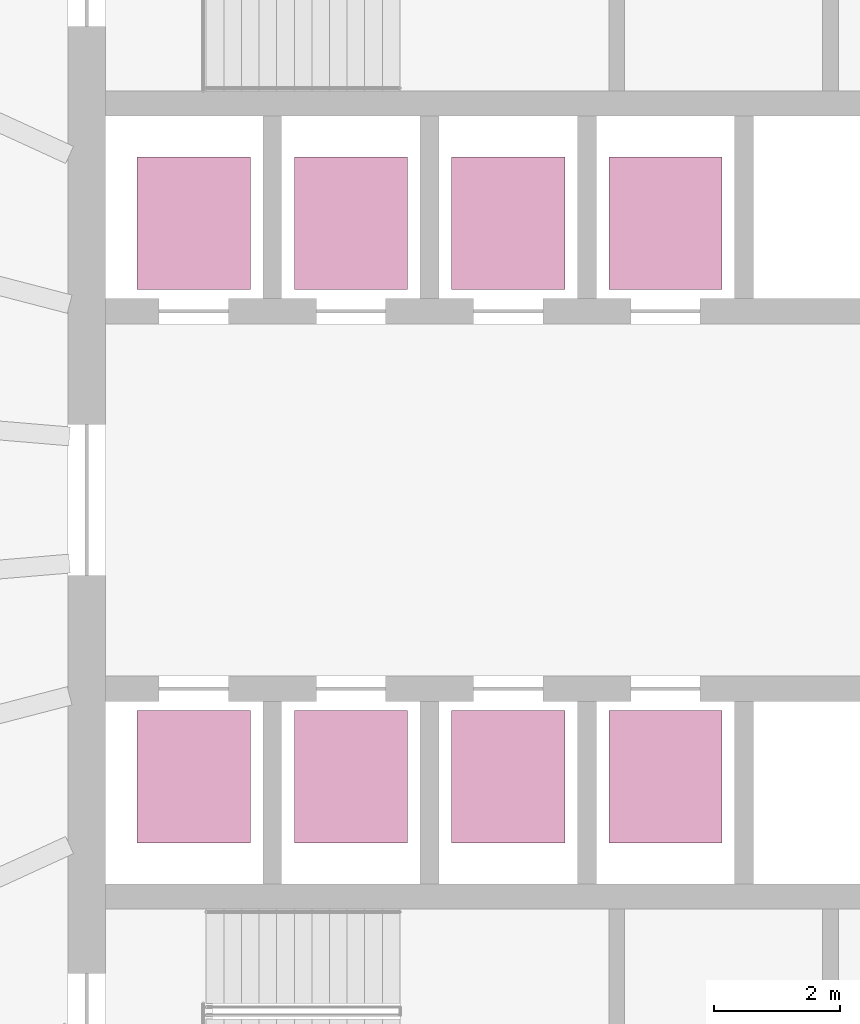
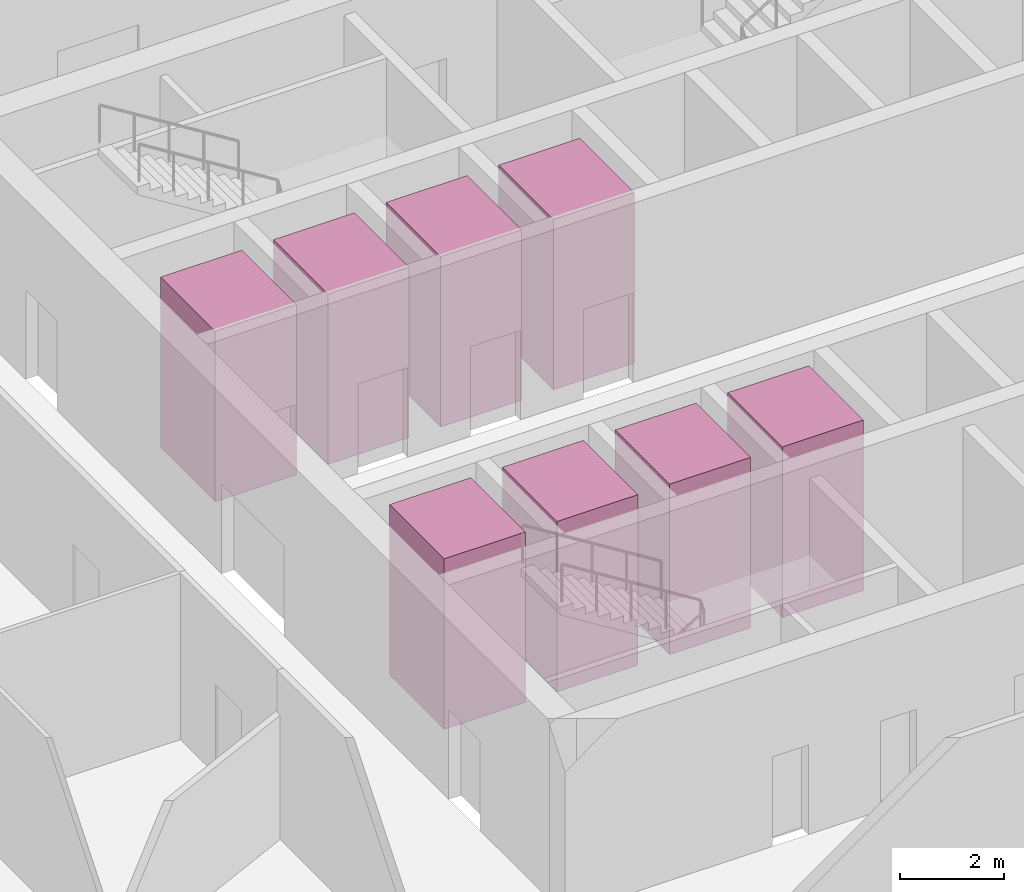
# One storey, part 10 of 10: 8 transport elements.
"""IFC4 building model written with IfcOpenShell, lengths in metres."""

from ifc_helpers import new_model, si_unit, direction, frame, origin, origin_2d, place, context, subcontext, project, spatial, rectangle, extrude, material, type_object, element, save


model = new_model("IFC4")

# Units and contexts
model_context = context("Model", 3, precision=1e-05, world=origin(), true_north=direction((0.0, 1.0)))
body_context = subcontext(model_context, "Body", "Model", "MODEL_VIEW")
ifc_project = project(units=[si_unit("LENGTHUNIT", "METRE"), si_unit("AREAUNIT", "SQUARE_METRE"), si_unit("VOLUMEUNIT", "CUBIC_METRE"), si_unit("PLANEANGLEUNIT", "RADIAN"), si_unit("MASSUNIT", "GRAM", prefix="KILO")], contexts=[model_context])

# Site, building, storey
site_placement = place(None, origin())
site = spatial("IfcSite", under=ifc_project, at=site_placement, CompositionType="ELEMENT")
building_placement = place(site_placement, origin())
building = spatial("IfcBuilding", under=site, at=building_placement, Name="Halqa Exchange Tower", CompositionType="ELEMENT")
storey_placement = place(building_placement, frame((0.0, 0.0, 133.89990234375)))
storey = spatial("IfcBuildingStorey", under=building, at=storey_placement, Name="L30", CompositionType="ELEMENT", Elevation=133.89990234375)

# Transport elements
ifc_material = material(Name="Stainless steel", Category="steel")
transport_element_type = type_object("IfcTransportElementType", Name="Low-rise passenger lift 1800 x 2100", PredefinedType="ELEVATOR", material=ifc_material)
for number, where, z_axis, x_axis, name in (
    (1, (-10.0, 4.39990234375, 0.0), (0.0, 0.0, 1.0), (1.0, 0.0, 0.0), "Low-rise passenger lift LR1"),
    (2, (-7.5, 4.39990234375, 0.0), (0.0, 0.0, 1.0), (1.0, 0.0, 0.0), "Low-rise passenger lift LR2"),
    (3, (-5.0, 4.39990234375, 0.0), (0.0, 0.0, 1.0), (1.0, 0.0, 0.0), "Low-rise passenger lift LR3"),
    (4, (-2.5, 4.39990234375, 0.0), (0.0, 0.0, 1.0), (1.0, 0.0, 0.0), "Low-rise passenger lift LR4"),
    (5, (-10.0, -4.39990234375, 0.0), (0.0, 0.0, 1.0), (1.0, 0.0, 0.0), "Low-rise passenger lift LR5"),
    (6, (-7.5, -4.39990234375, 0.0), (0.0, 0.0, 1.0), (1.0, 0.0, 0.0), "Low-rise passenger lift LR6"),
    (7, (-5.0, -4.39990234375, 0.0), (0.0, 0.0, 1.0), (1.0, 0.0, 0.0), "Low-rise passenger lift LR7"),
    (8, (-2.5, -4.39990234375, 0.0), (0.0, 0.0, 1.0), (1.0, 0.0, 0.0), "Low-rise passenger lift LR8"),
):
    element("IfcTransportElement", number, at=place(storey_placement, frame(where, z_axis=z_axis, x_axis=x_axis)), inside=storey, type_object=transport_element_type, Name=name, PredefinedType="ELEVATOR", context=body_context, shape_type="SweptSolid", body=[
        extrude(rectangle(XDim=1.800048828125, YDim=2.10009765625, at=origin_2d()), origin(), (0.0, 0.0, 1.0), 4.0),
    ])

save(model, "model.ifc")
